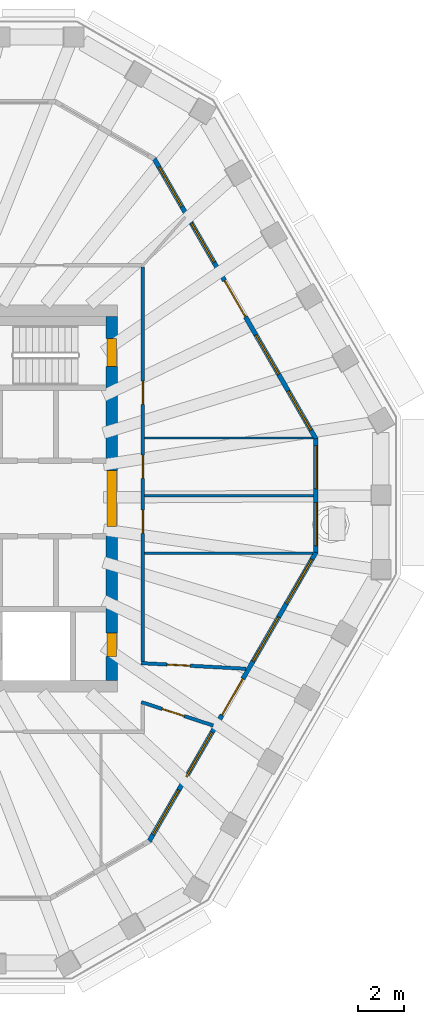
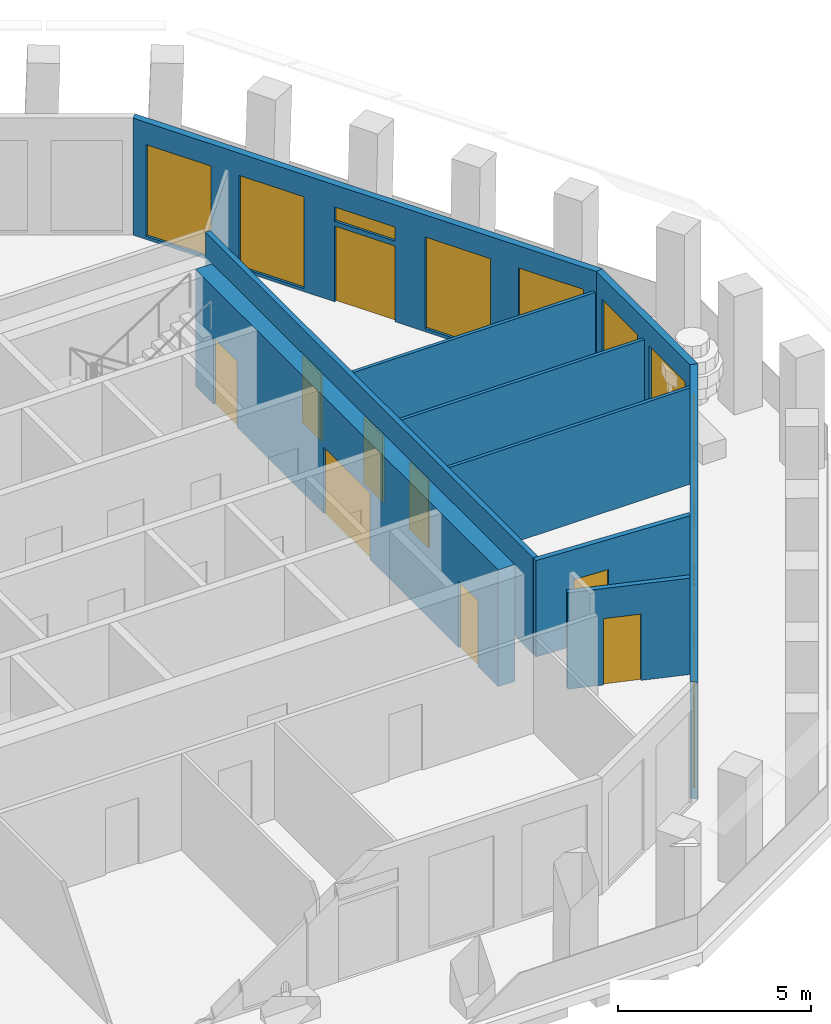
# One storey, part 6 of 11: 12 windows, 10 doors, 10 walls, 22 openings.
"""IFC4 building model written with IfcOpenShell, lengths in metres."""

from ifc_helpers import new_model, si_unit, direction, frame, frame_2d, origin, place, context, subcontext, project, spatial, polyline, rectangle, outline, extrude, material, layer, layer_set, type_object, element, fill, save


model = new_model("IFC4")

# Units and contexts
model_context = context("Model", 3, precision=1e-05, world=origin(), true_north=direction((0.0, 1.0)))
body_context = subcontext(model_context, "Body", "Model", "MODEL_VIEW")
ifc_project = project(units=[si_unit("LENGTHUNIT", "METRE"), si_unit("AREAUNIT", "SQUARE_METRE"), si_unit("VOLUMEUNIT", "CUBIC_METRE"), si_unit("PLANEANGLEUNIT", "RADIAN"), si_unit("MASSUNIT", "GRAM", prefix="KILO")], contexts=[model_context])

# Site, building, storey
site_placement = place(None, origin())
site = spatial("IfcSite", under=ifc_project, at=site_placement, CompositionType="ELEMENT")
building_placement = place(site_placement, origin())
building = spatial("IfcBuilding", under=site, at=building_placement, Name="Frailejon Research Tower", CompositionType="ELEMENT")
storey_placement = place(building_placement, frame((0.0, 0.0, 312.60009765625)))
storey = spatial("IfcBuildingStorey", under=building, at=storey_placement, Name="L69", CompositionType="ELEMENT", Elevation=312.60009765625)

# Wall, openings, doors
ifc_material_1 = material(Name="Concrete C50/60", Category="concrete")
ifc_layer_1 = layer(ifc_material_1, 0.5)
ifc_layer_set_1 = layer_set([ifc_layer_1], Name="Core shear wall 500 C50/60")
wall_type_1 = type_object("IfcWallType", Name="Core shear wall 500 C50/60", PredefinedType="SHEAR", material=ifc_layer_set_1)
wall_1_placement = place(storey_placement, frame((9.60009765625, -7.85009765625, 0.0), z_axis=(0.0, 0.0, 1.0), x_axis=(0.0, 1.0, 0.0)))
wall_1 = element("IfcWall", 1, at=wall_1_placement, inside=storey, type_object=wall_type_1, Name="Core shear wall", PredefinedType="SHEAR", context=body_context, shape_type="SweptSolid", body=[
    extrude(rectangle(XDim=15.7001953125, YDim=0.5, at=frame_2d((7.85009765625, 0.0))), origin(), (0.0, 0.0, 1.0), 3.699951171875),
])
opening_1_placement = place(wall_1_placement, frame((6.64990234375, 0.0, 0.0)))
opening_1 = element("IfcOpeningElement", 2, at=opening_1_placement, cuts=wall_1, Name="Opening D2", PredefinedType="OPENING", context=body_context, shape_type="SweptSolid", body=[
    extrude(rectangle(XDim=2.39990234375, YDim=2.10009765625, at=frame_2d((1.199951171875, 1.050048828125))), frame((0.0, 0.260009765625, 0.0), z_axis=(0.0, -1.0, 0.0), x_axis=(1.0, 0.0, 0.0)), (0.0, 0.0, 1.0), 0.52001953125),
])
opening_2_placement = place(wall_1_placement, frame((13.550048828125, 0.0, 0.0)))
opening_2 = element("IfcOpeningElement", 3, at=opening_2_placement, cuts=wall_1, Name="Opening D1", PredefinedType="OPENING", context=body_context, shape_type="SweptSolid", body=[
    extrude(rectangle(XDim=1.199951171875, YDim=2.10009765625, at=frame_2d((0.60009765625, 1.050048828125))), frame((0.0, 0.260009765625, 0.0), z_axis=(0.0, -1.0, 0.0), x_axis=(1.0, 0.0, 0.0)), (0.0, 0.0, 1.0), 0.52001953125),
])
opening_3_placement = place(wall_1_placement, frame((1.050048828125, 0.0, 0.0)))
opening_3 = element("IfcOpeningElement", 4, at=opening_3_placement, cuts=wall_1, Name="Opening D4", PredefinedType="OPENING", context=body_context, shape_type="SweptSolid", body=[
    extrude(rectangle(XDim=1.0, YDim=2.10009765625, at=frame_2d((0.5, 1.050048828125))), frame((0.0, 0.260009765625, 0.0), z_axis=(0.0, -1.0, 0.0), x_axis=(1.0, 0.0, 0.0)), (0.0, 0.0, 1.0), 0.52001953125),
])
ifc_material_2 = material(Name="Steel", Category="steel")
door_type_1 = type_object("IfcDoorType", Name="Lobby double door", OperationType="DOUBLE_DOOR_SINGLE_SWING", PredefinedType="DOOR", material=ifc_material_2)
door_1_placement = place(opening_1_placement, origin())
door_1 = element("IfcDoor", 5, at=door_1_placement, inside=storey, type_object=door_type_1, Name="Lobby door", OperationType="DOUBLE_DOOR_SINGLE_SWING", OverallHeight=2.10009765625, OverallWidth=2.39990234375, PredefinedType="DOOR", context=body_context, shape_type="SweptSolid", body=[
    extrude(rectangle(XDim=2.39990234375, YDim=2.10009765625, at=frame_2d((1.199951171875, 1.050048828125))), frame((0.0, 0.199951171875, 0.0), z_axis=(0.0, -1.0, 0.0), x_axis=(1.0, 0.0, 0.0)), (0.0, 0.0, 1.0), 0.39990234375),
])
fill(opening_1, door_1)
ifc_material_3 = material(Name="Steel", Category="steel")
door_type_2 = type_object("IfcDoorType", Name="Service door", OperationType="SINGLE_SWING_LEFT", PredefinedType="DOOR", material=ifc_material_3)
door_2_placement = place(opening_3_placement, origin())
door_2 = element("IfcDoor", 6, at=door_2_placement, inside=storey, type_object=door_type_2, Name="Riser door", OperationType="SINGLE_SWING_LEFT", OverallHeight=2.10009765625, OverallWidth=1.0, PredefinedType="DOOR", context=body_context, shape_type="SweptSolid", body=[
    extrude(rectangle(XDim=1.0, YDim=2.10009765625, at=frame_2d((0.5, 1.050048828125))), frame((0.0, 0.199951171875, 0.0), z_axis=(0.0, -1.0, 0.0), x_axis=(1.0, 0.0, 0.0)), (0.0, 0.0, 1.0), 0.39990234375),
])
fill(opening_3, door_2)
ifc_material_4 = material(Name="Steel", Category="steel")
door_type_3 = type_object("IfcDoorType", Name="Stair door", OperationType="SINGLE_SWING_LEFT", PredefinedType="DOOR", material=ifc_material_4)
door_3_placement = place(opening_2_placement, origin())
door_3 = element("IfcDoor", 7, at=door_3_placement, inside=storey, type_object=door_type_3, Name="Stair door ST3", OperationType="SINGLE_SWING_RIGHT", OverallHeight=2.10009765625, OverallWidth=1.199951171875, PredefinedType="DOOR", context=body_context, shape_type="SweptSolid", body=[
    extrude(rectangle(XDim=1.199951171875, YDim=2.10009765625, at=frame_2d((0.60009765625, 1.050048828125))), frame((0.0, 0.199951171875, 0.0), z_axis=(0.0, -1.0, 0.0), x_axis=(1.0, 0.0, 0.0)), (0.0, 0.0, 1.0), 0.39990234375),
])
fill(opening_2, door_3)

ifc_material_5 = material(Name="Gypsum board and masonry partition", Category="masonry")
ifc_layer_2 = layer(ifc_material_5, 0.14990234375)
ifc_layer_set_2 = layer_set([ifc_layer_2], Name="Corridor wall EI 60, gypsum on steel studs 150")
wall_type_2 = type_object("IfcWallType", Name="Corridor wall EI 60, gypsum on steel studs 150", PredefinedType="PARTITIONING", material=ifc_layer_set_2)
wall_2_placement = place(storey_placement, frame((10.949951171875, -7.02490234375, 0.0), z_axis=(0.0, 0.0, 1.0), x_axis=(0.0, 1.0, 0.0)))
wall_2 = element("IfcWall", 8, at=wall_2_placement, inside=storey, type_object=wall_type_2, Name="T:IW:L69:002", PredefinedType="PARTITIONING", context=body_context, shape_type="SweptSolid", body=[
    extrude(rectangle(XDim=17.0, YDim=0.14990234375, at=frame_2d((8.5, 0.0))), origin(), (0.0, 0.0, 1.0), 3.0498046875),
])
opening_4_placement = place(wall_2_placement, frame((7.89208984375, 0.0, 0.0)))
opening_4 = element("IfcOpeningElement", 9, at=opening_4_placement, cuts=wall_2, Name="Opening D2298", PredefinedType="OPENING", context=body_context, shape_type="SweptSolid", body=[
    extrude(rectangle(XDim=1.0, YDim=2.10009765625, at=frame_2d((0.5, 1.050048828125))), frame((0.0, 0.0849609375, 0.0), z_axis=(0.0, -1.0, 0.0), x_axis=(1.0, 0.0, 0.0)), (0.0, 0.0, 1.0), 0.169921875),
])
opening_5_placement = place(wall_2_placement, frame((11.08349609375, 0.0, 0.0)))
opening_5 = element("IfcOpeningElement", 10, at=opening_5_placement, cuts=wall_2, Name="Opening D2299", PredefinedType="OPENING", context=body_context, shape_type="SweptSolid", body=[
    extrude(rectangle(XDim=1.0, YDim=2.10009765625, at=frame_2d((0.5, 1.050048828125))), frame((0.0, 0.0849609375, 0.0), z_axis=(0.0, -1.0, 0.0), x_axis=(1.0, 0.0, 0.0)), (0.0, 0.0, 1.0), 0.169921875),
])
opening_6_placement = place(wall_2_placement, frame((5.52685546875, 0.0, 0.0)))
opening_6 = element("IfcOpeningElement", 11, at=opening_6_placement, cuts=wall_2, Name="Opening D2314", PredefinedType="OPENING", context=body_context, shape_type="SweptSolid", body=[
    extrude(rectangle(XDim=1.0, YDim=2.10009765625, at=frame_2d((0.5, 1.050048828125))), frame((0.0, 0.0849609375, 0.0), z_axis=(0.0, -1.0, 0.0), x_axis=(1.0, 0.0, 0.0)), (0.0, 0.0, 1.0), 0.169921875),
])
ifc_material_6 = material(Name="Timber door leaf", Category="wood")
door_type_4 = type_object("IfcDoorType", Name="Door single leaf, timber, steel frame 1000", OperationType="NOTDEFINED", PredefinedType="DOOR", material=ifc_material_6)
door_4_placement = place(opening_4_placement, origin())
door_4 = element("IfcDoor", 12, at=door_4_placement, inside=storey, type_object=door_type_4, Name="D2298", OperationType="SINGLE_SWING_RIGHT", OverallHeight=2.10009765625, OverallWidth=1.0, PredefinedType="DOOR", context=body_context, shape_type="SweptSolid", body=[
    extrude(rectangle(XDim=1.0, YDim=2.10009765625, at=frame_2d((0.5, 1.050048828125))), frame((0.0, 0.02490234375, 0.0), z_axis=(0.0, -1.0, 0.0), x_axis=(1.0, 0.0, 0.0)), (0.0, 0.0, 1.0), 0.050048828125),
])
fill(opening_4, door_4)
door_5_placement = place(opening_5_placement, origin())
door_5 = element("IfcDoor", 13, at=door_5_placement, inside=storey, type_object=door_type_4, Name="D2299", OperationType="SINGLE_SWING_LEFT", OverallHeight=2.10009765625, OverallWidth=1.0, PredefinedType="DOOR", context=body_context, shape_type="SweptSolid", body=[
    extrude(rectangle(XDim=1.0, YDim=2.10009765625, at=frame_2d((0.5, 1.050048828125))), frame((0.0, 0.02490234375, 0.0), z_axis=(0.0, -1.0, 0.0), x_axis=(1.0, 0.0, 0.0)), (0.0, 0.0, 1.0), 0.050048828125),
])
fill(opening_5, door_5)
door_6_placement = place(opening_6_placement, origin())
door_6 = element("IfcDoor", 14, at=door_6_placement, inside=storey, type_object=door_type_4, Name="D2314", OperationType="SINGLE_SWING_LEFT", OverallHeight=2.10009765625, OverallWidth=1.0, PredefinedType="DOOR", context=body_context, shape_type="SweptSolid", body=[
    extrude(rectangle(XDim=1.0, YDim=2.10009765625, at=frame_2d((0.5, 1.050048828125))), frame((0.0, 0.02490234375, 0.0), z_axis=(0.0, -1.0, 0.0), x_axis=(1.0, 0.0, 0.0)), (0.0, 0.0, 1.0), 0.050048828125),
])
fill(opening_6, door_6)

# Wall, opening, door
wall_3_placement = place(storey_placement, frame((10.878662109375, -8.77685546875, 0.0), z_axis=(0.0, 0.0, 1.0), x_axis=(0.950985647447, -0.309235021222, 0.0)))
wall_3 = element("IfcWall", 15, at=wall_3_placement, inside=storey, type_object=wall_type_2, Name="T:IW:L69:009", PredefinedType="PARTITIONING", context=body_context, shape_type="SweptSolid", body=[
    extrude(rectangle(XDim=3.261474609375, YDim=0.14990234375, at=frame_2d((1.630859375, 0.0))), origin(), (0.0, 0.0, 1.0), 3.0498046875),
])
opening_7_placement = place(wall_3_placement, frame((0.9453125, 0.0, 0.0)))
opening_7 = element("IfcOpeningElement", 16, at=opening_7_placement, cuts=wall_3, Name="Opening D2312", PredefinedType="OPENING", context=body_context, shape_type="SweptSolid", body=[
    extrude(rectangle(XDim=1.0, YDim=2.10009765625, at=frame_2d((0.5, 1.050048828125))), frame((0.0, 0.0849609375, 0.0), z_axis=(0.0, -1.0, 0.0), x_axis=(1.0, 0.0, 0.0)), (0.0, 0.0, 1.0), 0.169921875),
])
door_7_placement = place(opening_7_placement, origin())
door_7 = element("IfcDoor", 17, at=door_7_placement, inside=storey, type_object=door_type_4, Name="D2312", OperationType="SINGLE_SWING_RIGHT", OverallHeight=2.10009765625, OverallWidth=1.0, PredefinedType="DOOR", context=body_context, shape_type="SweptSolid", body=[
    extrude(rectangle(XDim=1.0, YDim=2.10009765625, at=frame_2d((0.5, 1.050048828125))), frame((0.0, 0.02490234375, 0.0), z_axis=(0.0, -1.0, 0.0), x_axis=(1.0, 0.0, 0.0)), (0.0, 0.0, 1.0), 0.050048828125),
])
fill(opening_7, door_7)

wall_4_placement = place(storey_placement, frame((10.875, -7.095947265625, 0.0), z_axis=(0.0, 0.0, 1.0), x_axis=(0.998551612582, -0.053802202645, 0.0)))
wall_4 = element("IfcWall", 18, at=wall_4_placement, inside=storey, type_object=wall_type_2, Name="T:IW:L69:010", PredefinedType="PARTITIONING", context=body_context, shape_type="SweptSolid", body=[
    extrude(rectangle(XDim=4.524169921875, YDim=0.14990234375, at=frame_2d((2.26220703125, 0.0))), origin(), (0.0, 0.0, 1.0), 3.0498046875),
])
opening_8_placement = place(wall_4_placement, frame((1.1123046875, 0.0, 0.0)))
opening_8 = element("IfcOpeningElement", 19, at=opening_8_placement, cuts=wall_4, Name="Opening D2313", PredefinedType="OPENING", context=body_context, shape_type="SweptSolid", body=[
    extrude(rectangle(XDim=1.0, YDim=2.10009765625, at=frame_2d((0.5, 1.050048828125))), frame((0.0, 0.0849609375, 0.0), z_axis=(0.0, -1.0, 0.0), x_axis=(1.0, 0.0, 0.0)), (0.0, 0.0, 1.0), 0.169921875),
])
door_8_placement = place(opening_8_placement, origin())
door_8 = element("IfcDoor", 20, at=door_8_placement, inside=storey, type_object=door_type_4, Name="D2313", OperationType="SINGLE_SWING_RIGHT", OverallHeight=2.10009765625, OverallWidth=1.0, PredefinedType="DOOR", context=body_context, shape_type="SweptSolid", body=[
    extrude(rectangle(XDim=1.0, YDim=2.10009765625, at=frame_2d((0.5, 1.050048828125))), frame((0.0, 0.02490234375, 0.0), z_axis=(0.0, -1.0, 0.0), x_axis=(1.0, 0.0, 0.0)), (0.0, 0.0, 1.0), 0.050048828125),
])
fill(opening_8, door_8)

# Walls
ifc_material_7 = material(Name="Gypsum board and masonry partition", Category="masonry")
ifc_layer_3 = layer(ifc_material_7, 0.10009765625)
ifc_layer_set_3 = layer_set([ifc_layer_3], Name="Partition, gypsum on steel studs 100")
wall_type_3 = type_object("IfcWallType", Name="Partition, gypsum on steel studs 100", PredefinedType="PARTITIONING", material=ifc_layer_set_3)
wall_5_placement = place(storey_placement, frame((11.02490234375, 2.6083984375, 0.0), z_axis=(0.0, 0.0, 1.0), x_axis=(1.0, 0.0, 0.0)))
element("IfcWall", 21, at=wall_5_placement, inside=storey, type_object=wall_type_3, Name="T:IW:L69:011", PredefinedType="PARTITIONING", context=body_context, shape_type="SweptSolid", body=[
    extrude(rectangle(XDim=7.244384765625, YDim=0.10009765625, at=frame_2d((3.6220703125, 0.0))), origin(), (0.0, 0.0, 1.0), 3.0498046875),
])
wall_6_placement = place(storey_placement, frame((11.02490234375, 0.125732421875, 0.0), z_axis=(0.0, 0.0, 1.0), x_axis=(1.0, 0.0, 0.0)))
element("IfcWall", 22, at=wall_6_placement, inside=storey, type_object=wall_type_3, Name="T:IW:L69:013", PredefinedType="PARTITIONING", context=body_context, shape_type="SweptSolid", body=[
    extrude(rectangle(XDim=7.275146484375, YDim=0.10009765625, at=frame_2d((3.6376953125, 0.0))), origin(), (0.0, 0.0, 1.0), 3.0498046875),
])
wall_7_placement = place(storey_placement, frame((11.02490234375, -2.35693359375, 0.0), z_axis=(0.0, 0.0, 1.0), x_axis=(1.0, 0.0, 0.0)))
element("IfcWall", 23, at=wall_7_placement, inside=storey, type_object=wall_type_3, Name="T:IW:L69:019", PredefinedType="PARTITIONING", context=body_context, shape_type="SweptSolid", body=[
    extrude(rectangle(XDim=7.244384765625, YDim=0.10009765625, at=frame_2d((3.6220703125, 0.0))), origin(), (0.0, 0.0, 1.0), 3.0498046875),
])

# Wall, openings, windows
ifc_material_8 = material(Name="Concrete C40/50 precast window wall panel", Category="concrete")
ifc_layer_4 = layer(ifc_material_8, 0.199951171875)
ifc_layer_set_4 = layer_set([ifc_layer_4], Name="Window wall 200")
wall_type_4 = type_object("IfcWallType", Name="Window wall 200", PredefinedType="SOLIDWALL", material=ifc_layer_set_4)
wall_8_placement = place(storey_placement, frame((18.400146484375, -2.330078125, 0.0), z_axis=(0.0, 0.0, 1.0), x_axis=(0.0, 1.0, 0.0)))
wall_8 = element("IfcWall", 24, at=wall_8_placement, inside=storey, type_object=wall_type_4, Name="Exterior wall L69", PredefinedType="SOLIDWALL", context=body_context, shape_type="SweptSolid", body=[
    extrude(outline(polyline([(-0.02685546875, -0.10009765625), (1.21435546875, -0.10009765625), (2.455810546875, -0.10009765625), (3.697265625, -0.10009765625), (4.9384765625, -0.10009765625), (4.884765625, 0.10009765625), (3.67041015625, 0.10009765625), (2.455810546875, 0.10009765625), (1.2412109375, 0.10009765625), (0.02685546875, 0.10009765625), (-0.02685546875, -0.10009765625)])), origin(), (0.0, 0.0, 1.0), 3.699951171875),
])
opening_9_placement = place(wall_8_placement, frame((0.302978515625, 0.0, 0.10009765625)))
opening_9 = element("IfcOpeningElement", 25, at=opening_9_placement, cuts=wall_8, Name="Opening W26", PredefinedType="OPENING", context=body_context, shape_type="SweptSolid", body=[
    extrude(rectangle(XDim=1.85009765625, YDim=2.89990234375, at=frame_2d((0.925048828125, 1.449951171875))), frame((0.0, 0.10986328125, 0.0), z_axis=(0.0, -1.0, 0.0), x_axis=(1.0, 0.0, 0.0)), (0.0, 0.0, 1.0), 0.219970703125),
])
opening_10_placement = place(wall_8_placement, frame((2.7587890625, 0.0, 0.10009765625)))
opening_10 = element("IfcOpeningElement", 26, at=opening_10_placement, cuts=wall_8, Name="Opening W26", PredefinedType="OPENING", context=body_context, shape_type="SweptSolid", body=[
    extrude(rectangle(XDim=1.85009765625, YDim=2.89990234375, at=frame_2d((0.925048828125, 1.449951171875))), frame((0.0, 0.10986328125, 0.0), z_axis=(0.0, -1.0, 0.0), x_axis=(1.0, 0.0, 0.0)), (0.0, 0.0, 1.0), 0.219970703125),
])
ifc_material_9 = material(Name="Aluminium framed double glazing", Category="aluminium")
window_type_1 = type_object("IfcWindowType", Name="Window 1850x2900", PartitioningType="SINGLE_PANEL", PredefinedType="WINDOW", material=ifc_material_9)
window_1_placement = place(opening_9_placement, origin())
window_1 = element("IfcWindow", 27, at=window_1_placement, inside=storey, type_object=window_type_1, Name="Window L69", OverallHeight=2.89990234375, OverallWidth=1.85009765625, PartitioningType="SINGLE_PANEL", PredefinedType="WINDOW", context=body_context, shape_type="SweptSolid", body=[
    extrude(rectangle(XDim=1.85009765625, YDim=2.89990234375, at=frame_2d((0.925048828125, 1.449951171875))), frame((0.0, 0.030029296875, 0.0), z_axis=(0.0, -1.0, 0.0), x_axis=(1.0, 0.0, 0.0)), (0.0, 0.0, 1.0), 0.06005859375),
])
fill(opening_9, window_1)
window_2_placement = place(opening_10_placement, origin())
window_2 = element("IfcWindow", 28, at=window_2_placement, inside=storey, type_object=window_type_1, Name="Window L69", OverallHeight=2.89990234375, OverallWidth=1.85009765625, PartitioningType="SINGLE_PANEL", PredefinedType="WINDOW", context=body_context, shape_type="SweptSolid", body=[
    extrude(rectangle(XDim=1.85009765625, YDim=2.89990234375, at=frame_2d((0.925048828125, 1.449951171875))), frame((0.0, 0.030029296875, 0.0), z_axis=(0.0, -1.0, 0.0), x_axis=(1.0, 0.0, 0.0)), (0.0, 0.0, 1.0), 0.06005859375),
])
fill(opening_10, window_2)

# Wall, openings, door, windows
wall_9_placement = place(storey_placement, frame((18.400146484375, 2.58154296875, 0.0), z_axis=(0.0, 0.0, 1.0), x_axis=(-0.49999606348, 0.866027676523, 0.0)))
wall_9 = element("IfcWall", 29, at=wall_9_placement, inside=storey, type_object=wall_type_4, Name="Exterior wall L69", PredefinedType="SOLIDWALL", context=body_context, shape_type="SweptSolid", body=[
    extrude(outline(polyline([(-0.02685546875, -0.10009765625), (1.048828125, -0.10009765625), (2.124267578125, -0.10009765625), (3.199951171875, -0.10009765625), (4.275390625, -0.10009765625), (5.35107421875, -0.10009765625), (6.426513671875, -0.10009765625), (7.502197265625, -0.10009765625), (8.57763671875, -0.10009765625), (9.6533203125, -0.10009765625), (10.728759765625, -0.10009765625), (11.804443359375, -0.10009765625), (12.8798828125, -0.10009765625), (13.95556640625, -0.10009765625), (13.90185546875, 0.10009765625), (12.83447265625, 0.10009765625), (11.767333984375, 0.10009765625), (10.699951171875, 0.10009765625), (9.632568359375, 0.10009765625), (8.5654296875, 0.10009765625), (7.498046875, 0.10009765625), (6.4306640625, 0.10009765625), (5.36328125, 0.10009765625), (4.296142578125, 0.10009765625), (3.228759765625, 0.10009765625), (2.161376953125, 0.10009765625), (1.09423828125, 0.10009765625), (0.02685546875, 0.10009765625), (-0.02685546875, -0.10009765625)])), origin(), (0.0, 0.0, 1.0), 3.699951171875),
])
opening_11_placement = place(wall_9_placement, frame((0.41796875, 0.0, 0.10009765625)))
opening_11 = element("IfcOpeningElement", 30, at=opening_11_placement, cuts=wall_9, Name="Opening W27", PredefinedType="OPENING", context=body_context, shape_type="SweptSolid", body=[
    extrude(rectangle(XDim=1.949951171875, YDim=2.89990234375, at=frame_2d((0.97509765625, 1.449951171875))), frame((0.0, 0.10986328125, 0.0), z_axis=(0.0, -1.0, 0.0), x_axis=(1.0, 0.0, 0.0)), (0.0, 0.0, 1.0), 0.219970703125),
])
opening_12_placement = place(wall_9_placement, frame((3.20361328125, 0.0, 0.10009765625)))
opening_12 = element("IfcOpeningElement", 31, at=opening_12_placement, cuts=wall_9, Name="Opening W27", PredefinedType="OPENING", context=body_context, shape_type="SweptSolid", body=[
    extrude(rectangle(XDim=1.949951171875, YDim=2.89990234375, at=frame_2d((0.97509765625, 1.449951171875))), frame((0.0, 0.10986328125, 0.0), z_axis=(0.0, -1.0, 0.0), x_axis=(1.0, 0.0, 0.0)), (0.0, 0.0, 1.0), 0.219970703125),
])
opening_13_placement = place(wall_9_placement, frame((6.064453125, 0.0, 0.0)))
opening_13 = element("IfcOpeningElement", 32, at=opening_13_placement, cuts=wall_9, Name="Opening LG69-1", PredefinedType="OPENING", context=body_context, shape_type="SweptSolid", body=[
    extrude(rectangle(XDim=1.800048828125, YDim=2.39990234375, at=frame_2d((0.89990234375, 1.199951171875))), frame((0.0, 0.10986328125, 0.0), z_axis=(0.0, -1.0, 0.0), x_axis=(1.0, 0.0, 0.0)), (0.0, 0.0, 1.0), 0.219970703125),
])
opening_14_placement = place(wall_9_placement, frame((6.064453125, 0.0, 2.550048828125)))
opening_14 = element("IfcOpeningElement", 33, at=opening_14_placement, cuts=wall_9, Name="Opening W1", PredefinedType="OPENING", context=body_context, shape_type="SweptSolid", body=[
    extrude(rectangle(XDim=1.800048828125, YDim=0.449951171875, at=frame_2d((0.89990234375, 0.22509765625))), frame((0.0, 0.10986328125, 0.0), z_axis=(0.0, -1.0, 0.0), x_axis=(1.0, 0.0, 0.0)), (0.0, 0.0, 1.0), 0.219970703125),
])
opening_15_placement = place(wall_9_placement, frame((8.775146484375, 0.0, 0.10009765625)))
opening_15 = element("IfcOpeningElement", 34, at=opening_15_placement, cuts=wall_9, Name="Opening W27", PredefinedType="OPENING", context=body_context, shape_type="SweptSolid", body=[
    extrude(rectangle(XDim=1.949951171875, YDim=2.89990234375, at=frame_2d((0.97509765625, 1.449951171875))), frame((0.0, 0.10986328125, 0.0), z_axis=(0.0, -1.0, 0.0), x_axis=(1.0, 0.0, 0.0)), (0.0, 0.0, 1.0), 0.219970703125),
])
opening_16_placement = place(wall_9_placement, frame((11.560791015625, 0.0, 0.10009765625)))
opening_16 = element("IfcOpeningElement", 35, at=opening_16_placement, cuts=wall_9, Name="Opening W27", PredefinedType="OPENING", context=body_context, shape_type="SweptSolid", body=[
    extrude(rectangle(XDim=1.949951171875, YDim=2.89990234375, at=frame_2d((0.97509765625, 1.449951171875))), frame((0.0, 0.10986328125, 0.0), z_axis=(0.0, -1.0, 0.0), x_axis=(1.0, 0.0, 0.0)), (0.0, 0.0, 1.0), 0.219970703125),
])
ifc_material_10 = material(Name="Aluminium framed glazed door leaf", Category="aluminium")
door_type_5 = type_object("IfcDoorType", Name="Loggia door 1800x2400", OperationType="DOUBLE_DOOR_SINGLE_SWING", PredefinedType="DOOR", material=ifc_material_10)
door_9_placement = place(opening_13_placement, origin())
door_9 = element("IfcDoor", 36, at=door_9_placement, inside=storey, type_object=door_type_5, Name="Door LG69-1", OperationType="DOUBLE_DOOR_SINGLE_SWING", OverallHeight=2.39990234375, OverallWidth=1.800048828125, PredefinedType="DOOR", context=body_context, shape_type="SweptSolid", body=[
    extrude(rectangle(XDim=1.800048828125, YDim=2.39990234375, at=frame_2d((0.89990234375, 1.199951171875))), frame((0.0, 0.02490234375, 0.0), z_axis=(0.0, -1.0, 0.0), x_axis=(1.0, 0.0, 0.0)), (0.0, 0.0, 1.0), 0.050048828125),
])
fill(opening_13, door_9)
ifc_material_11 = material(Name="Aluminium framed double glazing", Category="aluminium")
window_type_2 = type_object("IfcWindowType", Name="Window 1800x450", PartitioningType="SINGLE_PANEL", PredefinedType="WINDOW", material=ifc_material_11)
window_3_placement = place(opening_14_placement, origin())
window_3 = element("IfcWindow", 37, at=window_3_placement, inside=storey, type_object=window_type_2, Name="Window L69", OverallHeight=0.449951171875, OverallWidth=1.800048828125, PartitioningType="SINGLE_PANEL", PredefinedType="WINDOW", context=body_context, shape_type="SweptSolid", body=[
    extrude(rectangle(XDim=1.800048828125, YDim=0.449951171875, at=frame_2d((0.89990234375, 0.22509765625))), frame((0.0, 0.030029296875, 0.0), z_axis=(0.0, -1.0, 0.0), x_axis=(1.0, 0.0, 0.0)), (0.0, 0.0, 1.0), 0.06005859375),
])
fill(opening_14, window_3)
ifc_material_12 = material(Name="Aluminium framed double glazing", Category="aluminium")
window_type_3 = type_object("IfcWindowType", Name="Window 1950x2900", PartitioningType="SINGLE_PANEL", PredefinedType="WINDOW", material=ifc_material_12)
window_4_placement = place(opening_11_placement, origin())
window_4 = element("IfcWindow", 38, at=window_4_placement, inside=storey, type_object=window_type_3, Name="Window L69", OverallHeight=2.89990234375, OverallWidth=1.949951171875, PartitioningType="SINGLE_PANEL", PredefinedType="WINDOW", context=body_context, shape_type="SweptSolid", body=[
    extrude(rectangle(XDim=1.949951171875, YDim=2.89990234375, at=frame_2d((0.97509765625, 1.449951171875))), frame((0.0, 0.030029296875, 0.0), z_axis=(0.0, -1.0, 0.0), x_axis=(1.0, 0.0, 0.0)), (0.0, 0.0, 1.0), 0.06005859375),
])
fill(opening_11, window_4)
window_5_placement = place(opening_12_placement, origin())
window_5 = element("IfcWindow", 39, at=window_5_placement, inside=storey, type_object=window_type_3, Name="Window L69", OverallHeight=2.89990234375, OverallWidth=1.949951171875, PartitioningType="SINGLE_PANEL", PredefinedType="WINDOW", context=body_context, shape_type="SweptSolid", body=[
    extrude(rectangle(XDim=1.949951171875, YDim=2.89990234375, at=frame_2d((0.97509765625, 1.449951171875))), frame((0.0, 0.030029296875, 0.0), z_axis=(0.0, -1.0, 0.0), x_axis=(1.0, 0.0, 0.0)), (0.0, 0.0, 1.0), 0.06005859375),
])
fill(opening_12, window_5)
window_6_placement = place(opening_15_placement, origin())
window_6 = element("IfcWindow", 40, at=window_6_placement, inside=storey, type_object=window_type_3, Name="Window L69", OverallHeight=2.89990234375, OverallWidth=1.949951171875, PartitioningType="SINGLE_PANEL", PredefinedType="WINDOW", context=body_context, shape_type="SweptSolid", body=[
    extrude(rectangle(XDim=1.949951171875, YDim=2.89990234375, at=frame_2d((0.97509765625, 1.449951171875))), frame((0.0, 0.030029296875, 0.0), z_axis=(0.0, -1.0, 0.0), x_axis=(1.0, 0.0, 0.0)), (0.0, 0.0, 1.0), 0.06005859375),
])
fill(opening_15, window_6)
window_7_placement = place(opening_16_placement, origin())
window_7 = element("IfcWindow", 41, at=window_7_placement, inside=storey, type_object=window_type_3, Name="Window L69", OverallHeight=2.89990234375, OverallWidth=1.949951171875, PartitioningType="SINGLE_PANEL", PredefinedType="WINDOW", context=body_context, shape_type="SweptSolid", body=[
    extrude(rectangle(XDim=1.949951171875, YDim=2.89990234375, at=frame_2d((0.97509765625, 1.449951171875))), frame((0.0, 0.030029296875, 0.0), z_axis=(0.0, -1.0, 0.0), x_axis=(1.0, 0.0, 0.0)), (0.0, 0.0, 1.0), 0.06005859375),
])
fill(opening_16, window_7)

wall_10_placement = place(storey_placement, frame((11.218017578125, -14.77001953125, 0.0), z_axis=(0.0, 0.0, 1.0), x_axis=(0.499996104244, 0.866027652989, 0.0)))
wall_10 = element("IfcWall", 42, at=wall_10_placement, inside=storey, type_object=wall_type_4, Name="Exterior wall L69", PredefinedType="SOLIDWALL", context=body_context, shape_type="SweptSolid", body=[
    extrude(outline(polyline([(-0.02685546875, -0.10009765625), (1.0029296875, -0.10009765625), (2.032958984375, -0.10009765625), (3.062744140625, -0.10009765625), (4.092529296875, -0.10009765625), (5.122314453125, -0.10009765625), (6.15234375, -0.10009765625), (7.18212890625, -0.10009765625), (8.2119140625, -0.10009765625), (9.241943359375, -0.10009765625), (10.271728515625, -0.10009765625), (11.301513671875, -0.10009765625), (12.331298828125, -0.10009765625), (13.361328125, -0.10009765625), (14.39111328125, -0.10009765625), (14.33740234375, 0.10009765625), (13.315185546875, 0.10009765625), (12.29296875, 0.10009765625), (11.270751953125, 0.10009765625), (10.248779296875, 0.10009765625), (9.2265625, 0.10009765625), (8.204345703125, 0.10009765625), (7.18212890625, 0.10009765625), (6.159912109375, 0.10009765625), (5.1376953125, 0.10009765625), (4.115478515625, 0.10009765625), (3.093505859375, 0.10009765625), (2.0712890625, 0.10009765625), (1.049072265625, 0.10009765625), (0.02685546875, 0.10009765625), (-0.02685546875, -0.10009765625)])), origin(), (0.0, 0.0, 1.0), 3.699951171875),
])
opening_17_placement = place(wall_10_placement, frame((0.33642578125, 0.0, 0.10009765625)))
opening_17 = element("IfcOpeningElement", 43, at=opening_17_placement, cuts=wall_10, Name="Opening W28", PredefinedType="OPENING", context=body_context, shape_type="SweptSolid", body=[
    extrude(rectangle(XDim=2.199951171875, YDim=2.89990234375, at=frame_2d((1.10009765625, 1.449951171875))), frame((0.0, 0.10986328125, 0.0), z_axis=(0.0, -1.0, 0.0), x_axis=(1.0, 0.0, 0.0)), (0.0, 0.0, 1.0), 0.219970703125),
])
opening_18_placement = place(wall_10_placement, frame((3.209228515625, 0.0, 0.10009765625)))
opening_18 = element("IfcOpeningElement", 44, at=opening_18_placement, cuts=wall_10, Name="Opening W28", PredefinedType="OPENING", context=body_context, shape_type="SweptSolid", body=[
    extrude(rectangle(XDim=2.199951171875, YDim=2.89990234375, at=frame_2d((1.10009765625, 1.449951171875))), frame((0.0, 0.10986328125, 0.0), z_axis=(0.0, -1.0, 0.0), x_axis=(1.0, 0.0, 0.0)), (0.0, 0.0, 1.0), 0.219970703125),
])
opening_19_placement = place(wall_10_placement, frame((6.281982421875, 0.0, 0.0)))
opening_19 = element("IfcOpeningElement", 45, at=opening_19_placement, cuts=wall_10, Name="Opening LG69-6", PredefinedType="OPENING", context=body_context, shape_type="SweptSolid", body=[
    extrude(rectangle(XDim=1.800048828125, YDim=2.39990234375, at=frame_2d((0.89990234375, 1.199951171875))), frame((0.0, 0.10986328125, 0.0), z_axis=(0.0, -1.0, 0.0), x_axis=(1.0, 0.0, 0.0)), (0.0, 0.0, 1.0), 0.219970703125),
])
opening_20_placement = place(wall_10_placement, frame((6.281982421875, 0.0, 2.550048828125)))
opening_20 = element("IfcOpeningElement", 46, at=opening_20_placement, cuts=wall_10, Name="Opening W1", PredefinedType="OPENING", context=body_context, shape_type="SweptSolid", body=[
    extrude(rectangle(XDim=1.800048828125, YDim=0.449951171875, at=frame_2d((0.89990234375, 0.22509765625))), frame((0.0, 0.10986328125, 0.0), z_axis=(0.0, -1.0, 0.0), x_axis=(1.0, 0.0, 0.0)), (0.0, 0.0, 1.0), 0.219970703125),
])
opening_21_placement = place(wall_10_placement, frame((8.955078125, 0.0, 0.10009765625)))
opening_21 = element("IfcOpeningElement", 47, at=opening_21_placement, cuts=wall_10, Name="Opening W28", PredefinedType="OPENING", context=body_context, shape_type="SweptSolid", body=[
    extrude(rectangle(XDim=2.199951171875, YDim=2.89990234375, at=frame_2d((1.10009765625, 1.449951171875))), frame((0.0, 0.10986328125, 0.0), z_axis=(0.0, -1.0, 0.0), x_axis=(1.0, 0.0, 0.0)), (0.0, 0.0, 1.0), 0.219970703125),
])
opening_22_placement = place(wall_10_placement, frame((11.827880859375, 0.0, 0.10009765625)))
opening_22 = element("IfcOpeningElement", 48, at=opening_22_placement, cuts=wall_10, Name="Opening W28", PredefinedType="OPENING", context=body_context, shape_type="SweptSolid", body=[
    extrude(rectangle(XDim=2.199951171875, YDim=2.89990234375, at=frame_2d((1.10009765625, 1.449951171875))), frame((0.0, 0.10986328125, 0.0), z_axis=(0.0, -1.0, 0.0), x_axis=(1.0, 0.0, 0.0)), (0.0, 0.0, 1.0), 0.219970703125),
])
door_10_placement = place(opening_19_placement, origin())
door_10 = element("IfcDoor", 49, at=door_10_placement, inside=storey, type_object=door_type_5, Name="Door LG69-6", OperationType="DOUBLE_DOOR_SINGLE_SWING", OverallHeight=2.39990234375, OverallWidth=1.800048828125, PredefinedType="DOOR", context=body_context, shape_type="SweptSolid", body=[
    extrude(rectangle(XDim=1.800048828125, YDim=2.39990234375, at=frame_2d((0.89990234375, 1.199951171875))), frame((0.0, 0.02490234375, 0.0), z_axis=(0.0, -1.0, 0.0), x_axis=(1.0, 0.0, 0.0)), (0.0, 0.0, 1.0), 0.050048828125),
])
fill(opening_19, door_10)
window_8_placement = place(opening_20_placement, origin())
window_8 = element("IfcWindow", 50, at=window_8_placement, inside=storey, type_object=window_type_2, Name="Window L69", OverallHeight=0.449951171875, OverallWidth=1.800048828125, PartitioningType="SINGLE_PANEL", PredefinedType="WINDOW", context=body_context, shape_type="SweptSolid", body=[
    extrude(rectangle(XDim=1.800048828125, YDim=0.449951171875, at=frame_2d((0.89990234375, 0.22509765625))), frame((0.0, 0.030029296875, 0.0), z_axis=(0.0, -1.0, 0.0), x_axis=(1.0, 0.0, 0.0)), (0.0, 0.0, 1.0), 0.06005859375),
])
fill(opening_20, window_8)
ifc_material_13 = material(Name="Aluminium framed double glazing", Category="aluminium")
window_type_4 = type_object("IfcWindowType", Name="Window 2200x2900", PartitioningType="SINGLE_PANEL", PredefinedType="WINDOW", material=ifc_material_13)
window_9_placement = place(opening_17_placement, origin())
window_9 = element("IfcWindow", 51, at=window_9_placement, inside=storey, type_object=window_type_4, Name="Window L69", OverallHeight=2.89990234375, OverallWidth=2.199951171875, PartitioningType="SINGLE_PANEL", PredefinedType="WINDOW", context=body_context, shape_type="SweptSolid", body=[
    extrude(rectangle(XDim=2.199951171875, YDim=2.89990234375, at=frame_2d((1.10009765625, 1.449951171875))), frame((0.0, 0.030029296875, 0.0), z_axis=(0.0, -1.0, 0.0), x_axis=(1.0, 0.0, 0.0)), (0.0, 0.0, 1.0), 0.06005859375),
])
fill(opening_17, window_9)
window_10_placement = place(opening_18_placement, origin())
window_10 = element("IfcWindow", 52, at=window_10_placement, inside=storey, type_object=window_type_4, Name="Window L69", OverallHeight=2.89990234375, OverallWidth=2.199951171875, PartitioningType="SINGLE_PANEL", PredefinedType="WINDOW", context=body_context, shape_type="SweptSolid", body=[
    extrude(rectangle(XDim=2.199951171875, YDim=2.89990234375, at=frame_2d((1.10009765625, 1.449951171875))), frame((0.0, 0.030029296875, 0.0), z_axis=(0.0, -1.0, 0.0), x_axis=(1.0, 0.0, 0.0)), (0.0, 0.0, 1.0), 0.06005859375),
])
fill(opening_18, window_10)
window_11_placement = place(opening_21_placement, origin())
window_11 = element("IfcWindow", 53, at=window_11_placement, inside=storey, type_object=window_type_4, Name="Window L69", OverallHeight=2.89990234375, OverallWidth=2.199951171875, PartitioningType="SINGLE_PANEL", PredefinedType="WINDOW", context=body_context, shape_type="SweptSolid", body=[
    extrude(rectangle(XDim=2.199951171875, YDim=2.89990234375, at=frame_2d((1.10009765625, 1.449951171875))), frame((0.0, 0.030029296875, 0.0), z_axis=(0.0, -1.0, 0.0), x_axis=(1.0, 0.0, 0.0)), (0.0, 0.0, 1.0), 0.06005859375),
])
fill(opening_21, window_11)
window_12_placement = place(opening_22_placement, origin())
window_12 = element("IfcWindow", 54, at=window_12_placement, inside=storey, type_object=window_type_4, Name="Window L69", OverallHeight=2.89990234375, OverallWidth=2.199951171875, PartitioningType="SINGLE_PANEL", PredefinedType="WINDOW", context=body_context, shape_type="SweptSolid", body=[
    extrude(rectangle(XDim=2.199951171875, YDim=2.89990234375, at=frame_2d((1.10009765625, 1.449951171875))), frame((0.0, 0.030029296875, 0.0), z_axis=(0.0, -1.0, 0.0), x_axis=(1.0, 0.0, 0.0)), (0.0, 0.0, 1.0), 0.06005859375),
])
fill(opening_22, window_12)

save(model, "model.ifc")
